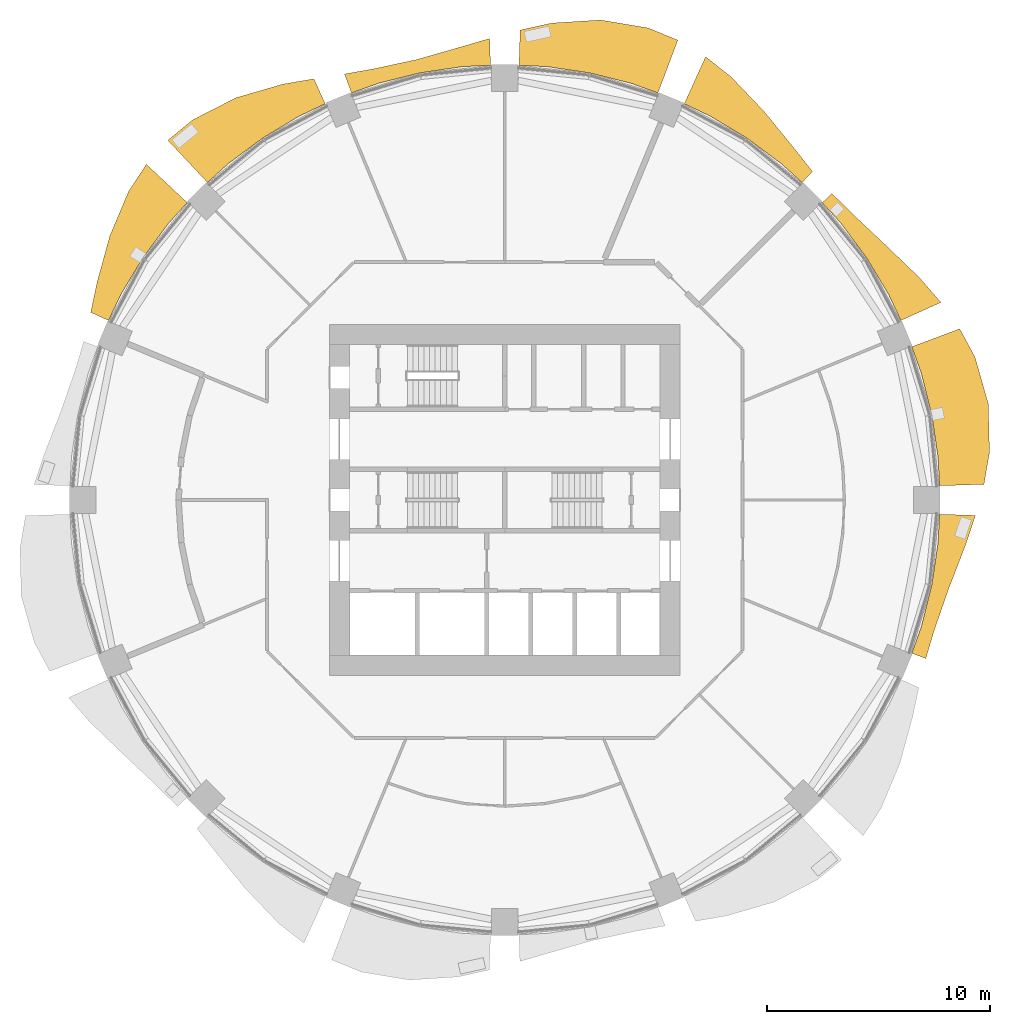
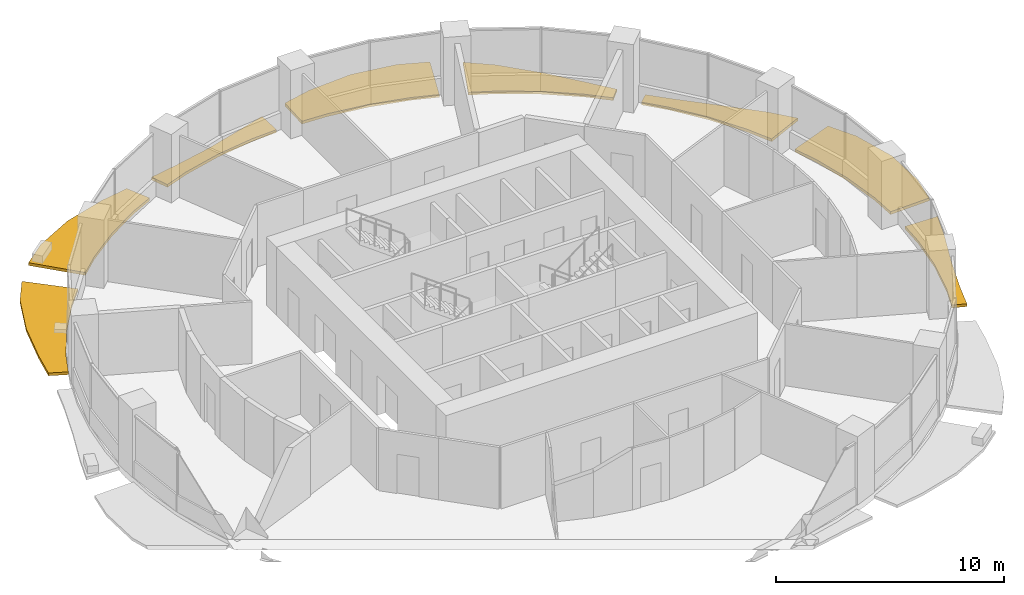
# One storey, part 14 of 15: 8 shading devices.
"""IFC4 building model written with IfcOpenShell, lengths in metres."""

from ifc_helpers import new_model, si_unit, direction, frame, origin, place, context, subcontext, project, spatial, polyline, outline, extrude, material, type_object, element, save


model = new_model("IFC4")

# Units and contexts
model_context = context("Model", 3, precision=1e-05, world=origin(), true_north=direction((0.0, 1.0)))
body_context = subcontext(model_context, "Body", "Model", "MODEL_VIEW")
ifc_project = project(units=[si_unit("LENGTHUNIT", "METRE"), si_unit("AREAUNIT", "SQUARE_METRE"), si_unit("VOLUMEUNIT", "CUBIC_METRE"), si_unit("PLANEANGLEUNIT", "RADIAN"), si_unit("MASSUNIT", "GRAM", prefix="KILO")], contexts=[model_context])

# Site, building, storey
site_placement = place(None, origin())
site = spatial("IfcSite", under=ifc_project, at=site_placement, CompositionType="ELEMENT")
building_placement = place(site_placement, origin())
building = spatial("IfcBuilding", under=site, at=building_placement, Name="Polderwave Tower", CompositionType="ELEMENT")
storey_placement = place(building_placement, frame((0.0, 0.0, 59.050048828125)))
storey = spatial("IfcBuildingStorey", under=building, at=storey_placement, Name="L15", CompositionType="ELEMENT", Elevation=59.050048828125)

# Shading devices
ifc_material = material(Name="Terracotta", Category="masonry")
shading_device_type = type_object("IfcShadingDeviceType", Name="Terracotta sunshade band", PredefinedType="USERDEFINED", material=ifc_material)
shading_device_1_placement = place(storey_placement, frame((0.0, 0.0, -0.35009765625)))
element("IfcShadingDevice", 1, at=shading_device_1_placement, inside=storey, type_object=shading_device_type, Name="Sunshade band L15 1", ObjectType="SUNSHADE", PredefinedType="USERDEFINED", context=body_context, shape_type="SweptSolid", body=[
    extrude(outline(polyline([(19.508544921875, 0.63818359375), (19.44580078125, 1.915283203125), (19.16455078125, 3.81201171875), (18.698486328125, 5.672119140625), (18.267822265625, 6.8759765625), (20.415771484375, 7.684326171875), (21.107421875, 6.40283203125), (21.69873046875, 4.316162109375), (21.753662109375, 2.142578125), (21.505615234375, 0.70361328125), (19.508544921875, 0.63818359375)])), origin(), (0.0, 0.0, 1.0), 0.150146484375),
])
shading_device_2_placement = place(storey_placement, frame((0.0, 0.0, -0.35009765625)))
element("IfcShadingDevice", 2, at=shading_device_2_placement, inside=storey, type_object=shading_device_type, Name="Sunshade band L15 2", ObjectType="SUNSHADE", PredefinedType="USERDEFINED", context=body_context, shape_type="SweptSolid", body=[
    extrude(outline(polyline([(17.779296875, 8.055419921875), (17.232666015625, 9.211181640625), (16.246826171875, 10.855712890625), (15.1044921875, 12.39599609375), (14.24609375, 13.343505859375), (14.68408203125, 13.753662109375), (15.622314453125, 12.821044921875), (17.103759765625, 11.428466796875), (18.62890625, 9.95751953125), (19.5712890625, 8.8671875), (17.779296875, 8.055419921875)])), origin(), (0.0, 0.0, 1.0), 0.150146484375),
])
shading_device_3_placement = place(storey_placement, frame((0.0, 0.0, -0.35009765625)))
element("IfcShadingDevice", 3, at=shading_device_3_placement, inside=storey, type_object=shading_device_type, Name="Sunshade band L15 3", ObjectType="SUNSHADE", PredefinedType="USERDEFINED", context=body_context, shape_type="SweptSolid", body=[
    extrude(outline(polyline([(13.343505859375, 14.24609375), (12.39599609375, 15.1044921875), (10.855712890625, 16.246826171875), (9.211181640625, 17.232666015625), (8.055419921875, 17.779296875), (9.01220703125, 19.8916015625), (10.153076171875, 18.9951171875), (11.6455078125, 17.4287109375), (12.97021484375, 15.80419921875), (13.81005859375, 14.744140625), (13.343505859375, 14.24609375)])), origin(), (0.0, 0.0, 1.0), 0.150146484375),
])
shading_device_4_placement = place(storey_placement, frame((0.0, 0.0, -0.35009765625)))
element("IfcShadingDevice", 4, at=shading_device_4_placement, inside=storey, type_object=shading_device_type, Name="Sunshade band L15 4", ObjectType="SUNSHADE", PredefinedType="USERDEFINED", context=body_context, shape_type="SweptSolid", body=[
    extrude(outline(polyline([(6.8759765625, 18.267822265625), (5.672119140625, 18.698486328125), (3.81201171875, 19.16455078125), (1.915283203125, 19.44580078125), (0.63818359375, 19.508544921875), (0.68994140625, 21.0908203125), (2.108154296875, 21.403564453125), (4.28466796875, 21.5400390625), (6.427001953125, 21.1865234375), (7.767333984375, 20.6357421875), (6.8759765625, 18.267822265625)])), origin(), (0.0, 0.0, 1.0), 0.150146484375),
])
shading_device_5_placement = place(storey_placement, frame((0.0, 0.0, -0.35009765625)))
element("IfcShadingDevice", 5, at=shading_device_5_placement, inside=storey, type_object=shading_device_type, Name="Sunshade band L15 5", ObjectType="SUNSHADE", PredefinedType="USERDEFINED", context=body_context, shape_type="SweptSolid", body=[
    extrude(outline(polyline([(-0.63818359375, 19.508544921875), (-1.915283203125, 19.44580078125), (-3.81201171875, 19.16455078125), (-5.672119140625, 18.698486328125), (-6.8759765625, 18.267822265625), (-7.19482421875, 19.114990234375), (-5.870361328125, 19.351806640625), (-3.932373046875, 19.768798828125), (-2.001708984375, 20.32275390625), (-0.677490234375, 20.7099609375), (-0.63818359375, 19.508544921875)])), origin(), (0.0, 0.0, 1.0), 0.150146484375),
])
shading_device_6_placement = place(storey_placement, frame((0.0, 0.0, -0.35009765625)))
element("IfcShadingDevice", 6, at=shading_device_6_placement, inside=storey, type_object=shading_device_type, Name="Sunshade band L15 6", ObjectType="SUNSHADE", PredefinedType="USERDEFINED", context=body_context, shape_type="SweptSolid", body=[
    extrude(outline(polyline([(-8.055419921875, 17.779296875), (-9.211181640625, 17.232666015625), (-10.855712890625, 16.246826171875), (-12.39599609375, 15.1044921875), (-13.343505859375, 14.24609375), (-15.12060546875, 16.1435546875), (-14.001220703125, 17.060546875), (-12.06103515625, 18.05078125), (-9.973388671875, 18.65869140625), (-8.56396484375, 18.90234375), (-8.055419921875, 17.779296875)])), origin(), (0.0, 0.0, 1.0), 0.150146484375),
])
shading_device_7_placement = place(storey_placement, frame((0.0, 0.0, -0.35009765625)))
element("IfcShadingDevice", 7, at=shading_device_7_placement, inside=storey, type_object=shading_device_type, Name="Sunshade band L15 7", ObjectType="SUNSHADE", PredefinedType="USERDEFINED", context=body_context, shape_type="SweptSolid", body=[
    extrude(outline(polyline([(-14.24609375, 13.343505859375), (-15.1044921875, 12.39599609375), (-16.246826171875, 10.855712890625), (-17.232666015625, 9.211181640625), (-17.779296875, 8.055419921875), (-18.581787109375, 8.4189453125), (-18.292724609375, 9.777587890625), (-17.7255859375, 11.843994140625), (-16.87890625, 13.85205078125), (-16.083251953125, 15.064208984375), (-14.24609375, 13.343505859375)])), origin(), (0.0, 0.0, 1.0), 0.150146484375),
])
shading_device_8_placement = place(storey_placement, frame((0.0, 0.0, -0.35009765625)))
element("IfcShadingDevice", 8, at=shading_device_8_placement, inside=storey, type_object=shading_device_type, Name="Sunshade band L15 16", ObjectType="SUNSHADE", PredefinedType="USERDEFINED", context=body_context, shape_type="SweptSolid", body=[
    extrude(outline(polyline([(18.267822265625, -6.8759765625), (18.698486328125, -5.672119140625), (19.16455078125, -3.81201171875), (19.44580078125, -1.915283203125), (19.508544921875, -0.63818359375), (21.124755859375, -0.691162109375), (20.6728515625, -2.0361328125), (19.927490234375, -3.9638671875), (19.27294921875, -5.846435546875), (18.894775390625, -7.112060546875), (18.267822265625, -6.8759765625)])), origin(), (0.0, 0.0, 1.0), 0.150146484375),
])

save(model, "model.ifc")
